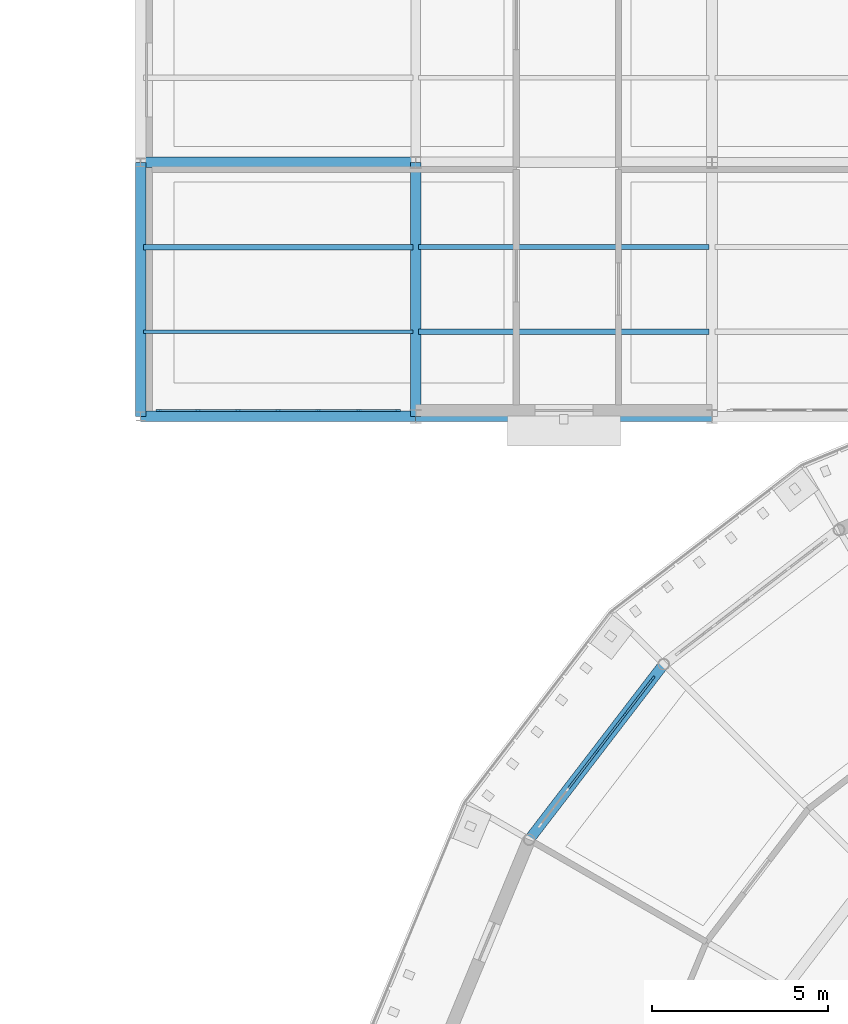
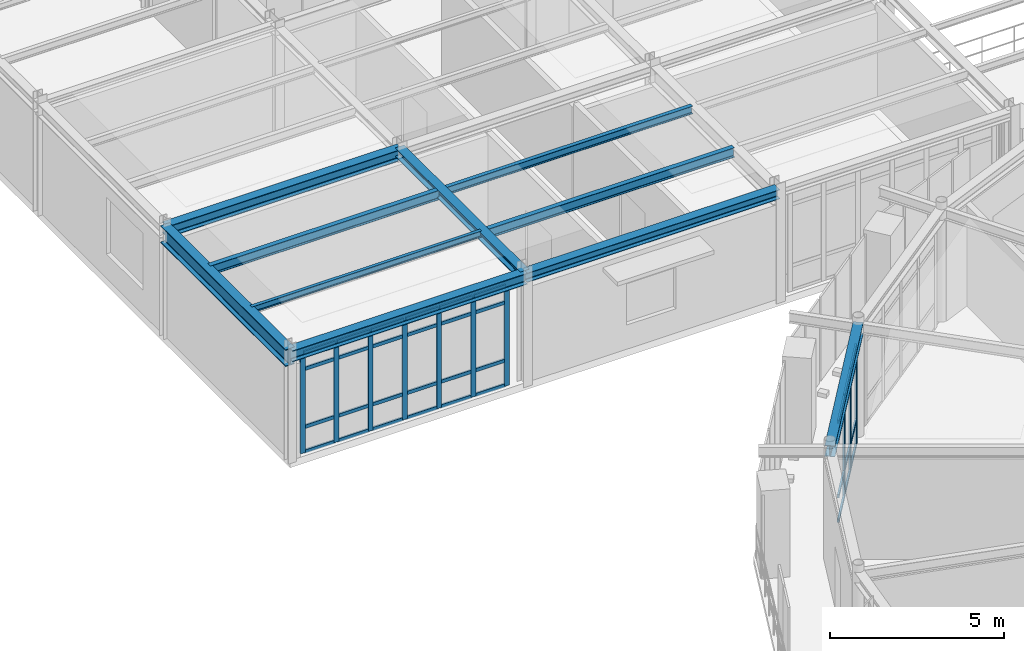
# One storey, part 44 of 90: 46 members, 10 beams, 2 elements without a shape of their own.
"""IFC4 building model written with IfcOpenShell, lengths in metres."""

from ifc_helpers import new_model, si_unit, derived_unit, direction, frame, origin, origin_2d, place, context, subcontext, project, spatial, rectangle, i_section, extrude, material, layer, layer_set, material_profile, profile_set, type_object, element, aggregate, save


model = new_model("IFC4")

# Units and contexts
model_context = context("Model", 3, precision=1e-05, world=origin(), true_north=direction((0.0, 1.0)))
body_context = subcontext(model_context, "Body", "Model", "MODEL_VIEW")
ifc_project = project(units=[si_unit("LENGTHUNIT", "METRE"), si_unit("AREAUNIT", "SQUARE_METRE"), si_unit("VOLUMEUNIT", "CUBIC_METRE"), si_unit("PLANEANGLEUNIT", "RADIAN"), si_unit("MASSUNIT", "GRAM", prefix="KILO"), derived_unit("THERMALTRANSMITTANCEUNIT", [(si_unit("POWERUNIT", "WATT"), 1), (si_unit("AREAUNIT", "SQUARE_METRE"), -1), (si_unit("THERMODYNAMICTEMPERATUREUNIT", "KELVIN"), -1)])], contexts=[model_context])

# Site, building, storey
site_placement = place(None, origin())
site = spatial("IfcSite", under=ifc_project, at=site_placement, CompositionType="ELEMENT")
building_placement = place(site_placement, origin())
building = spatial("IfcBuilding", under=site, at=building_placement, Name="Yasenodar Specialist Clinic", CompositionType="ELEMENT")
storey_placement = place(building_placement, frame((0.0, 0.0, 9.0)))
storey = spatial("IfcBuildingStorey", under=building, at=storey_placement, Name="L02", CompositionType="ELEMENT", Elevation=9.0)

# Beams
ifc_material_1 = material(Name="Steel S355", Category="steel")
ifc_material_profile_1 = material_profile(ifc_material_1, i_section(OverallWidth=0.300048828125, OverallDepth=0.330078125, WebThickness=0.009521484375, FlangeThickness=0.0166015625, FilletRadius=0.027099609375, at=origin_2d()), Name="HEA 340")
ifc_profile_set_1 = profile_set([ifc_material_profile_1], Name="Steel S355")
beam_type_1 = type_object("IfcBeamType", Name="BM-HEA340", PredefinedType="BEAM", material=ifc_profile_set_1)
beam_1_placement = place(storey_placement, frame((57.0, 82.800048828125, 3.784912109375), z_axis=(1.0, 0.0, 0.0), x_axis=(0.0, 1.0, 0.0)))
element("IfcBeam", 1, at=beam_1_placement, inside=storey, type_object=beam_type_1, Name="L02 Primary E-W Girder", PredefinedType="BEAM", context=body_context, shape_type="SweptSolid", body=[
    extrude(i_section(OverallWidth=0.300048828125, OverallDepth=0.330078125, WebThickness=0.009521484375, FlangeThickness=0.0166015625, FilletRadius=0.027099609375, at=origin_2d()), origin(), (0.0, 0.0, 1.0), 8.39990234375),
])
ifc_material_profile_2 = material_profile(ifc_material_1, i_section(OverallWidth=0.300048828125, OverallDepth=0.389892578125, WebThickness=0.010986328125, FlangeThickness=0.01904296875, FilletRadius=0.027099609375, at=origin_2d()), Name="HEA 400")
ifc_profile_set_2 = profile_set([ifc_material_profile_2], Name="Steel S355")
beam_type_2 = type_object("IfcBeamType", Name="BM-HEA400", PredefinedType="BEAM", material=ifc_profile_set_2)
for number, where, z_axis, x_axis, name in (
    (2, (49.199951171875, 82.800048828125, 3.7548828125), (1.0, 0.0, 0.0), (0.0, 1.0, 0.0), "L02 Primary E-W Girder"),
    (3, (49.199951171875, 90.0, 3.7548828125), (1.0, 0.0, 0.0), (0.0, 1.0, 0.0), "L02 Primary E-W Girder"),
):
    element("IfcBeam", number, at=place(storey_placement, frame(where, z_axis=z_axis, x_axis=x_axis)), inside=storey, type_object=beam_type_2, Name=name, PredefinedType="BEAM", context=body_context, shape_type="SweptSolid", body=[
        extrude(i_section(OverallWidth=0.300048828125, OverallDepth=0.389892578125, WebThickness=0.010986328125, FlangeThickness=0.01904296875, FilletRadius=0.027099609375, at=origin_2d()), origin(), (0.0, 0.0, 1.0), 7.800048828125),
    ])
beam_2_placement = place(storey_placement, frame((64.029296875, 75.7705078125, 3.7548828125), z_axis=(-0.608761180103, -0.793353531283, 0.0), x_axis=(0.793353531283, -0.608761180103, 0.0)))
element("IfcBeam", 4, at=beam_2_placement, inside=storey, type_object=beam_type_2, Name="L02 Drum V1 Perimeter Ring Beam", PredefinedType="BEAM", context=body_context, shape_type="SweptSolid", body=[
    extrude(i_section(OverallWidth=0.300048828125, OverallDepth=0.389892578125, WebThickness=0.010986328125, FlangeThickness=0.01904296875, FilletRadius=0.027099609375, at=origin_2d()), origin(), (0.0, 0.0, 1.0), 6.26513671875),
])
ifc_material_profile_3 = material_profile(ifc_material_1, i_section(OverallWidth=0.300048828125, OverallDepth=0.300048828125, WebThickness=0.010986328125, FlangeThickness=0.01904296875, FilletRadius=0.027099609375, at=origin_2d()), Name="HEB 300")
ifc_profile_set_3 = profile_set([ifc_material_profile_3], Name="Steel S355")
beam_type_3 = type_object("IfcBeamType", Name="BM-HEB300", PredefinedType="BEAM", material=ifc_profile_set_3)
beam_3_placement = place(storey_placement, frame((57.0, 82.800048828125, 3.800048828125), z_axis=(0.0, 1.0, 0.0), x_axis=(-1.0, 0.0, 0.0)))
element("IfcBeam", 5, at=beam_3_placement, inside=storey, type_object=beam_type_3, Name="L02 Primary N-S Girder", PredefinedType="BEAM", context=body_context, shape_type="SweptSolid", body=[
    extrude(i_section(OverallWidth=0.300048828125, OverallDepth=0.300048828125, WebThickness=0.010986328125, FlangeThickness=0.01904296875, FilletRadius=0.027099609375, at=origin_2d()), origin(), (0.0, 0.0, 1.0), 7.199951171875),
])
ifc_material_profile_4 = material_profile(ifc_material_1, i_section(OverallWidth=0.300048828125, OverallDepth=0.60009765625, WebThickness=0.015380859375, FlangeThickness=0.030029296875, FilletRadius=0.027099609375, at=origin_2d()), Name="HEB 600")
ifc_profile_set_4 = profile_set([ifc_material_profile_4], Name="Steel S355")
beam_type_4 = type_object("IfcBeamType", Name="BM-HEB600", PredefinedType="BEAM", material=ifc_profile_set_4)
beam_4_placement = place(storey_placement, frame((49.199951171875, 82.800048828125, 3.64990234375), z_axis=(0.0, 1.0, 0.0), x_axis=(-1.0, 0.0, 0.0)))
element("IfcBeam", 6, at=beam_4_placement, inside=storey, type_object=beam_type_4, Name="L02 Primary N-S Girder", PredefinedType="BEAM", context=body_context, shape_type="SweptSolid", body=[
    extrude(i_section(OverallWidth=0.300048828125, OverallDepth=0.60009765625, WebThickness=0.015380859375, FlangeThickness=0.030029296875, FilletRadius=0.027099609375, at=origin_2d()), origin(), (0.0, 0.0, 1.0), 7.199951171875),
])

# Curtain wall, members
ifc_material_2 = material(Name="Bronze Anodized Aluminium and Triple Low-E Glass", Category="aluminium")
ifc_layer_1 = layer(ifc_material_2, 0.1669921875)
ifc_layer_set_1 = layer_set([ifc_layer_1], Name="Bronze Anodized Aluminium and Triple Low-E Glass")
curtain_wall_type_1 = type_object("IfcCurtainWallType", Name="CW-SYS-01", PredefinedType="USERDEFINED", material=ifc_layer_set_1)
curtain_wall_1_placement = place(storey_placement, origin())
curtain_wall_1 = element("IfcCurtainWall", 7, at=curtain_wall_1_placement, inside=storey, type_object=curtain_wall_type_1, Name="L02 Unitised Curtain Wall 032", ObjectType="UNITISED CURTAIN WALL", PredefinedType="USERDEFINED")
ifc_material_3 = material(Name="Bronze Anodized Aluminium", Category="aluminium")
ifc_material_profile_5 = material_profile(ifc_material_3, rectangle(XDim=0.06005859375, YDim=0.159912109375, at=origin_2d()), Name="CW-MULL 60x160")
ifc_profile_set_5 = profile_set([ifc_material_profile_5], Name="Bronze Anodized Aluminium")
member_type_1 = type_object("IfcMemberType", Name="CW-MULL-160", PredefinedType="MULLION", material=ifc_profile_set_5)
member_1_placement = place(storey_placement, frame((62.122314453125, 73.285400390625, 0.0), z_axis=(0.0, 0.0, 1.0), x_axis=(-0.793360558574, 0.608752021844, 0.0)))
member_1 = element("IfcMember", 8, at=member_1_placement, type_object=member_type_1, Name="CW-01 mullion 3", PredefinedType="MULLION", context=body_context, shape_type="SweptSolid", body=[
    extrude(rectangle(XDim=0.06005859375, YDim=0.159912109375, at=origin_2d()), origin(), (0.0, 0.0, 1.0), 3.5380859375),
])
member_2_placement = place(storey_placement, frame((62.9296875, 74.337646484375, 0.0), z_axis=(0.0, 0.0, 1.0), x_axis=(-0.793360558574, 0.608752021844, 0.0)))
member_2 = element("IfcMember", 9, at=member_2_placement, type_object=member_type_1, Name="CW-01 mullion 4", PredefinedType="MULLION", context=body_context, shape_type="SweptSolid", body=[
    extrude(rectangle(XDim=0.06005859375, YDim=0.159912109375, at=origin_2d()), origin(), (0.0, 0.0, 1.0), 3.5380859375),
])
member_3_placement = place(storey_placement, frame((63.718994140625, 75.365966796875, 0.0), z_axis=(0.0, 0.0, 1.0), x_axis=(-0.793360558574, 0.608752021844, 0.0)))
member_3 = element("IfcMember", 10, at=member_3_placement, type_object=member_type_1, Name="CW-01 mullion 5", PredefinedType="MULLION", context=body_context, shape_type="SweptSolid", body=[
    extrude(rectangle(XDim=0.06005859375, YDim=0.159912109375, at=origin_2d()), origin(), (0.0, 0.0, 1.0), 3.5380859375),
])

ifc_layer_2 = layer(ifc_material_2, 0.215087890625)
ifc_layer_set_2 = layer_set([ifc_layer_2], Name="Bronze Anodized Aluminium and Triple Low-E Glass")
curtain_wall_type_2 = type_object("IfcCurtainWallType", Name="CW-SYS-05", PredefinedType="USERDEFINED", material=ifc_layer_set_2)
curtain_wall_2_placement = place(storey_placement, origin())
curtain_wall_2 = element("IfcCurtainWall", 11, at=curtain_wall_2_placement, inside=storey, type_object=curtain_wall_type_2, Name="L02 Unitised Curtain Wall 157", ObjectType="UNITISED CURTAIN WALL", PredefinedType="USERDEFINED")
member_4_placement = place(storey_placement, frame((56.489990234375, 82.969970703125, 0.0), z_axis=(0.0, 0.0, 1.0), x_axis=(0.0, -1.0, 0.0)))
member_4 = element("IfcMember", 12, at=member_4_placement, type_object=member_type_1, Name="CW-05 mullion 1", PredefinedType="MULLION", context=body_context, shape_type="SweptSolid", body=[
    extrude(rectangle(XDim=0.06005859375, YDim=0.159912109375, at=origin_2d()), origin(), (0.0, 0.0, 1.0), 3.5380859375),
])
member_5_placement = place(storey_placement, frame((55.3798828125, 82.969970703125, 0.0), z_axis=(0.0, 0.0, 1.0), x_axis=(0.0, -1.0, 0.0)))
member_5 = element("IfcMember", 13, at=member_5_placement, type_object=member_type_1, Name="CW-05 mullion 2", PredefinedType="MULLION", context=body_context, shape_type="SweptSolid", body=[
    extrude(rectangle(XDim=0.06005859375, YDim=0.159912109375, at=origin_2d()), origin(), (0.0, 0.0, 1.0), 3.5380859375),
])
member_6_placement = place(storey_placement, frame((54.239990234375, 82.969970703125, 0.0), z_axis=(0.0, 0.0, 1.0), x_axis=(0.0, -1.0, 0.0)))
member_6 = element("IfcMember", 14, at=member_6_placement, type_object=member_type_1, Name="CW-05 mullion 3", PredefinedType="MULLION", context=body_context, shape_type="SweptSolid", body=[
    extrude(rectangle(XDim=0.06005859375, YDim=0.159912109375, at=origin_2d()), origin(), (0.0, 0.0, 1.0), 3.5380859375),
])
member_7_placement = place(storey_placement, frame((53.10009765625, 82.969970703125, 0.0), z_axis=(0.0, 0.0, 1.0), x_axis=(0.0, -1.0, 0.0)))
member_7 = element("IfcMember", 15, at=member_7_placement, type_object=member_type_1, Name="CW-05 mullion 4", PredefinedType="MULLION", context=body_context, shape_type="SweptSolid", body=[
    extrude(rectangle(XDim=0.06005859375, YDim=0.159912109375, at=origin_2d()), origin(), (0.0, 0.0, 1.0), 3.5380859375),
])
member_8_placement = place(storey_placement, frame((51.9599609375, 82.969970703125, 0.0), z_axis=(0.0, 0.0, 1.0), x_axis=(0.0, -1.0, 0.0)))
member_8 = element("IfcMember", 16, at=member_8_placement, type_object=member_type_1, Name="CW-05 mullion 5", PredefinedType="MULLION", context=body_context, shape_type="SweptSolid", body=[
    extrude(rectangle(XDim=0.06005859375, YDim=0.159912109375, at=origin_2d()), origin(), (0.0, 0.0, 1.0), 3.5380859375),
])
member_9_placement = place(storey_placement, frame((50.820068359375, 82.969970703125, 0.0), z_axis=(0.0, 0.0, 1.0), x_axis=(0.0, -1.0, 0.0)))
member_9 = element("IfcMember", 17, at=member_9_placement, type_object=member_type_1, Name="CW-05 mullion 6", PredefinedType="MULLION", context=body_context, shape_type="SweptSolid", body=[
    extrude(rectangle(XDim=0.06005859375, YDim=0.159912109375, at=origin_2d()), origin(), (0.0, 0.0, 1.0), 3.5380859375),
])
member_10_placement = place(storey_placement, frame((49.7099609375, 82.969970703125, 0.0), z_axis=(0.0, 0.0, 1.0), x_axis=(0.0, -1.0, 0.0)))
member_10 = element("IfcMember", 18, at=member_10_placement, type_object=member_type_1, Name="CW-05 mullion 7", PredefinedType="MULLION", context=body_context, shape_type="SweptSolid", body=[
    extrude(rectangle(XDim=0.06005859375, YDim=0.159912109375, at=origin_2d()), origin(), (0.0, 0.0, 1.0), 3.5380859375),
])

# Member
ifc_material_profile_6 = material_profile(ifc_material_3, rectangle(XDim=0.06005859375, YDim=0.1201171875, at=origin_2d()), Name="CW-TRAN 60x120")
ifc_profile_set_6 = profile_set([ifc_material_profile_6], Name="Bronze Anodized Aluminium")
member_type_2 = type_object("IfcMemberType", Name="CW-TRAN-120", PredefinedType="USERDEFINED", material=ifc_profile_set_6)
member_11_placement = place(storey_placement, frame((61.333251953125, 72.2568359375, 0.030029296875), z_axis=(0.608815963567, 0.793311491475, 0.0), x_axis=(-0.793311491475, 0.608815963567, 0.0)))
member_11 = element("IfcMember", 19, at=member_11_placement, type_object=member_type_2, Name="CW-01 transom 2.1", ObjectType="TRANSOM", PredefinedType="USERDEFINED", context=body_context, shape_type="SweptSolid", body=[
    extrude(rectangle(XDim=0.06005859375, YDim=0.1201171875, at=origin_2d()), origin(), (0.0, 0.0, 1.0), 1.266357421875),
])

member_12_placement = place(storey_placement, frame((61.333251953125, 72.2568359375, 0.89990234375), z_axis=(0.608815963567, 0.793311491475, 0.0), x_axis=(-0.793311491475, 0.608815963567, 0.0)))
member_12 = element("IfcMember", 20, at=member_12_placement, type_object=member_type_2, Name="CW-01 transom 2.2", ObjectType="TRANSOM", PredefinedType="USERDEFINED", context=body_context, shape_type="SweptSolid", body=[
    extrude(rectangle(XDim=0.06005859375, YDim=0.1201171875, at=origin_2d()), origin(), (0.0, 0.0, 1.0), 1.266357421875),
])

member_13_placement = place(storey_placement, frame((61.333251953125, 72.2568359375, 2.93798828125), z_axis=(0.608815963567, 0.793311491475, 0.0), x_axis=(-0.793311491475, 0.608815963567, 0.0)))
member_13 = element("IfcMember", 21, at=member_13_placement, type_object=member_type_2, Name="CW-01 transom 2.3", ObjectType="TRANSOM", PredefinedType="USERDEFINED", context=body_context, shape_type="SweptSolid", body=[
    extrude(rectangle(XDim=0.06005859375, YDim=0.1201171875, at=origin_2d()), origin(), (0.0, 0.0, 1.0), 1.266357421875),
])

member_14_placement = place(storey_placement, frame((61.333251953125, 72.2568359375, 3.508056640625), z_axis=(0.608815963567, 0.793311491475, 0.0), x_axis=(-0.793311491475, 0.608815963567, 0.0)))
member_14 = element("IfcMember", 22, at=member_14_placement, type_object=member_type_2, Name="CW-01 transom 2.4", ObjectType="TRANSOM", PredefinedType="USERDEFINED", context=body_context, shape_type="SweptSolid", body=[
    extrude(rectangle(XDim=0.06005859375, YDim=0.1201171875, at=origin_2d()), origin(), (0.0, 0.0, 1.0), 1.266357421875),
])

member_15_placement = place(storey_placement, frame((62.140625, 73.30908203125, 0.030029296875), z_axis=(0.608815963567, 0.793311491475, 0.0), x_axis=(-0.793311491475, 0.608815963567, 0.0)))
member_15 = element("IfcMember", 23, at=member_15_placement, type_object=member_type_2, Name="CW-01 transom 3.1", ObjectType="TRANSOM", PredefinedType="USERDEFINED", context=body_context, shape_type="SweptSolid", body=[
    extrude(rectangle(XDim=0.06005859375, YDim=0.1201171875, at=origin_2d()), origin(), (0.0, 0.0, 1.0), 1.266357421875),
])

member_16_placement = place(storey_placement, frame((62.140625, 73.30908203125, 0.89990234375), z_axis=(0.608815963567, 0.793311491475, 0.0), x_axis=(-0.793311491475, 0.608815963567, 0.0)))
member_16 = element("IfcMember", 24, at=member_16_placement, type_object=member_type_2, Name="CW-01 transom 3.2", ObjectType="TRANSOM", PredefinedType="USERDEFINED", context=body_context, shape_type="SweptSolid", body=[
    extrude(rectangle(XDim=0.06005859375, YDim=0.1201171875, at=origin_2d()), origin(), (0.0, 0.0, 1.0), 1.266357421875),
])

member_17_placement = place(storey_placement, frame((62.140625, 73.30908203125, 2.93798828125), z_axis=(0.608815963567, 0.793311491475, 0.0), x_axis=(-0.793311491475, 0.608815963567, 0.0)))
member_17 = element("IfcMember", 25, at=member_17_placement, type_object=member_type_2, Name="CW-01 transom 3.3", ObjectType="TRANSOM", PredefinedType="USERDEFINED", context=body_context, shape_type="SweptSolid", body=[
    extrude(rectangle(XDim=0.06005859375, YDim=0.1201171875, at=origin_2d()), origin(), (0.0, 0.0, 1.0), 1.266357421875),
])

member_18_placement = place(storey_placement, frame((62.140625, 73.30908203125, 3.508056640625), z_axis=(0.608815963567, 0.793311491475, 0.0), x_axis=(-0.793311491475, 0.608815963567, 0.0)))
member_18 = element("IfcMember", 26, at=member_18_placement, type_object=member_type_2, Name="CW-01 transom 3.4", ObjectType="TRANSOM", PredefinedType="USERDEFINED", context=body_context, shape_type="SweptSolid", body=[
    extrude(rectangle(XDim=0.06005859375, YDim=0.1201171875, at=origin_2d()), origin(), (0.0, 0.0, 1.0), 1.266357421875),
])

member_19_placement = place(storey_placement, frame((62.947998046875, 74.361328125, 0.030029296875), z_axis=(0.608746535642, 0.793364768151, 0.0), x_axis=(-0.793364768151, 0.608746535642, 0.0)))
member_19 = element("IfcMember", 27, at=member_19_placement, type_object=member_type_2, Name="CW-01 transom 4.1", ObjectType="TRANSOM", PredefinedType="USERDEFINED", context=body_context, shape_type="SweptSolid", body=[
    extrude(rectangle(XDim=0.06005859375, YDim=0.1201171875, at=origin_2d()), origin(), (0.0, 0.0, 1.0), 1.236572265625),
])

member_20_placement = place(storey_placement, frame((62.947998046875, 74.361328125, 0.89990234375), z_axis=(0.608746535642, 0.793364768151, 0.0), x_axis=(-0.793364768151, 0.608746535642, 0.0)))
member_20 = element("IfcMember", 28, at=member_20_placement, type_object=member_type_2, Name="CW-01 transom 4.2", ObjectType="TRANSOM", PredefinedType="USERDEFINED", context=body_context, shape_type="SweptSolid", body=[
    extrude(rectangle(XDim=0.06005859375, YDim=0.1201171875, at=origin_2d()), origin(), (0.0, 0.0, 1.0), 1.236572265625),
])

member_21_placement = place(storey_placement, frame((62.947998046875, 74.361328125, 2.93798828125), z_axis=(0.608746535642, 0.793364768151, 0.0), x_axis=(-0.793364768151, 0.608746535642, 0.0)))
member_21 = element("IfcMember", 29, at=member_21_placement, type_object=member_type_2, Name="CW-01 transom 4.3", ObjectType="TRANSOM", PredefinedType="USERDEFINED", context=body_context, shape_type="SweptSolid", body=[
    extrude(rectangle(XDim=0.06005859375, YDim=0.1201171875, at=origin_2d()), origin(), (0.0, 0.0, 1.0), 1.236572265625),
])

member_22_placement = place(storey_placement, frame((62.947998046875, 74.361328125, 3.508056640625), z_axis=(0.608746535642, 0.793364768151, 0.0), x_axis=(-0.793364768151, 0.608746535642, 0.0)))
member_22 = element("IfcMember", 30, at=member_22_placement, type_object=member_type_2, Name="CW-01 transom 4.4", ObjectType="TRANSOM", PredefinedType="USERDEFINED", context=body_context, shape_type="SweptSolid", body=[
    extrude(rectangle(XDim=0.06005859375, YDim=0.1201171875, at=origin_2d()), origin(), (0.0, 0.0, 1.0), 1.236572265625),
])

aggregate(curtain_wall_1, [member_1, member_2, member_3, member_11, member_12, member_13, member_14, member_15, member_16, member_17, member_18, member_19, member_20, member_21, member_22])

member_23_placement = place(storey_placement, frame((56.4599609375, 82.969970703125, 0.030029296875), z_axis=(-1.0, 0.0, 0.0), x_axis=(0.0, -1.0, 0.0)))
member_23 = element("IfcMember", 31, at=member_23_placement, type_object=member_type_2, Name="CW-05 transom 1.1", ObjectType="TRANSOM", PredefinedType="USERDEFINED", context=body_context, shape_type="SweptSolid", body=[
    extrude(rectangle(XDim=0.06005859375, YDim=0.1201171875, at=origin_2d()), origin(), (0.0, 0.0, 1.0), 1.050048828125),
])

member_24_placement = place(storey_placement, frame((56.4599609375, 82.969970703125, 0.89990234375), z_axis=(-1.0, 0.0, 0.0), x_axis=(0.0, -1.0, 0.0)))
member_24 = element("IfcMember", 32, at=member_24_placement, type_object=member_type_2, Name="CW-05 transom 1.2", ObjectType="TRANSOM", PredefinedType="USERDEFINED", context=body_context, shape_type="SweptSolid", body=[
    extrude(rectangle(XDim=0.06005859375, YDim=0.1201171875, at=origin_2d()), origin(), (0.0, 0.0, 1.0), 1.050048828125),
])

member_25_placement = place(storey_placement, frame((56.4599609375, 82.969970703125, 2.93798828125), z_axis=(-1.0, 0.0, 0.0), x_axis=(0.0, -1.0, 0.0)))
member_25 = element("IfcMember", 33, at=member_25_placement, type_object=member_type_2, Name="CW-05 transom 1.3", ObjectType="TRANSOM", PredefinedType="USERDEFINED", context=body_context, shape_type="SweptSolid", body=[
    extrude(rectangle(XDim=0.06005859375, YDim=0.1201171875, at=origin_2d()), origin(), (0.0, 0.0, 1.0), 1.050048828125),
])

member_26_placement = place(storey_placement, frame((56.4599609375, 82.969970703125, 3.508056640625), z_axis=(-1.0, 0.0, 0.0), x_axis=(0.0, -1.0, 0.0)))
member_26 = element("IfcMember", 34, at=member_26_placement, type_object=member_type_2, Name="CW-05 transom 1.4", ObjectType="TRANSOM", PredefinedType="USERDEFINED", context=body_context, shape_type="SweptSolid", body=[
    extrude(rectangle(XDim=0.06005859375, YDim=0.1201171875, at=origin_2d()), origin(), (0.0, 0.0, 1.0), 1.050048828125),
])

member_27_placement = place(storey_placement, frame((55.35009765625, 82.969970703125, 0.030029296875), z_axis=(-1.0, 0.0, 0.0), x_axis=(0.0, -1.0, 0.0)))
member_27 = element("IfcMember", 35, at=member_27_placement, type_object=member_type_2, Name="CW-05 transom 2.1", ObjectType="TRANSOM", PredefinedType="USERDEFINED", context=body_context, shape_type="SweptSolid", body=[
    extrude(rectangle(XDim=0.06005859375, YDim=0.1201171875, at=origin_2d()), origin(), (0.0, 0.0, 1.0), 1.080078125),
])

member_28_placement = place(storey_placement, frame((55.35009765625, 82.969970703125, 0.89990234375), z_axis=(-1.0, 0.0, 0.0), x_axis=(0.0, -1.0, 0.0)))
member_28 = element("IfcMember", 36, at=member_28_placement, type_object=member_type_2, Name="CW-05 transom 2.2", ObjectType="TRANSOM", PredefinedType="USERDEFINED", context=body_context, shape_type="SweptSolid", body=[
    extrude(rectangle(XDim=0.06005859375, YDim=0.1201171875, at=origin_2d()), origin(), (0.0, 0.0, 1.0), 1.080078125),
])

member_29_placement = place(storey_placement, frame((55.35009765625, 82.969970703125, 2.93798828125), z_axis=(-1.0, 0.0, 0.0), x_axis=(0.0, -1.0, 0.0)))
member_29 = element("IfcMember", 37, at=member_29_placement, type_object=member_type_2, Name="CW-05 transom 2.3", ObjectType="TRANSOM", PredefinedType="USERDEFINED", context=body_context, shape_type="SweptSolid", body=[
    extrude(rectangle(XDim=0.06005859375, YDim=0.1201171875, at=origin_2d()), origin(), (0.0, 0.0, 1.0), 1.080078125),
])

member_30_placement = place(storey_placement, frame((55.35009765625, 82.969970703125, 3.508056640625), z_axis=(-1.0, 0.0, 0.0), x_axis=(0.0, -1.0, 0.0)))
member_30 = element("IfcMember", 38, at=member_30_placement, type_object=member_type_2, Name="CW-05 transom 2.4", ObjectType="TRANSOM", PredefinedType="USERDEFINED", context=body_context, shape_type="SweptSolid", body=[
    extrude(rectangle(XDim=0.06005859375, YDim=0.1201171875, at=origin_2d()), origin(), (0.0, 0.0, 1.0), 1.080078125),
])

member_31_placement = place(storey_placement, frame((54.2099609375, 82.969970703125, 0.030029296875), z_axis=(-1.0, 0.0, 0.0), x_axis=(0.0, -1.0, 0.0)))
member_31 = element("IfcMember", 39, at=member_31_placement, type_object=member_type_2, Name="CW-05 transom 3.1", ObjectType="TRANSOM", PredefinedType="USERDEFINED", context=body_context, shape_type="SweptSolid", body=[
    extrude(rectangle(XDim=0.06005859375, YDim=0.1201171875, at=origin_2d()), origin(), (0.0, 0.0, 1.0), 1.080078125),
])

member_32_placement = place(storey_placement, frame((54.2099609375, 82.969970703125, 0.89990234375), z_axis=(-1.0, 0.0, 0.0), x_axis=(0.0, -1.0, 0.0)))
member_32 = element("IfcMember", 40, at=member_32_placement, type_object=member_type_2, Name="CW-05 transom 3.2", ObjectType="TRANSOM", PredefinedType="USERDEFINED", context=body_context, shape_type="SweptSolid", body=[
    extrude(rectangle(XDim=0.06005859375, YDim=0.1201171875, at=origin_2d()), origin(), (0.0, 0.0, 1.0), 1.080078125),
])

member_33_placement = place(storey_placement, frame((54.2099609375, 82.969970703125, 2.93798828125), z_axis=(-1.0, 0.0, 0.0), x_axis=(0.0, -1.0, 0.0)))
member_33 = element("IfcMember", 41, at=member_33_placement, type_object=member_type_2, Name="CW-05 transom 3.3", ObjectType="TRANSOM", PredefinedType="USERDEFINED", context=body_context, shape_type="SweptSolid", body=[
    extrude(rectangle(XDim=0.06005859375, YDim=0.1201171875, at=origin_2d()), origin(), (0.0, 0.0, 1.0), 1.080078125),
])

member_34_placement = place(storey_placement, frame((54.2099609375, 82.969970703125, 3.508056640625), z_axis=(-1.0, 0.0, 0.0), x_axis=(0.0, -1.0, 0.0)))
member_34 = element("IfcMember", 42, at=member_34_placement, type_object=member_type_2, Name="CW-05 transom 3.4", ObjectType="TRANSOM", PredefinedType="USERDEFINED", context=body_context, shape_type="SweptSolid", body=[
    extrude(rectangle(XDim=0.06005859375, YDim=0.1201171875, at=origin_2d()), origin(), (0.0, 0.0, 1.0), 1.080078125),
])

member_35_placement = place(storey_placement, frame((53.070068359375, 82.969970703125, 0.030029296875), z_axis=(-1.0, 0.0, 0.0), x_axis=(0.0, -1.0, 0.0)))
member_35 = element("IfcMember", 43, at=member_35_placement, type_object=member_type_2, Name="CW-05 transom 4.1", ObjectType="TRANSOM", PredefinedType="USERDEFINED", context=body_context, shape_type="SweptSolid", body=[
    extrude(rectangle(XDim=0.06005859375, YDim=0.1201171875, at=origin_2d()), origin(), (0.0, 0.0, 1.0), 1.080078125),
])

member_36_placement = place(storey_placement, frame((53.070068359375, 82.969970703125, 0.89990234375), z_axis=(-1.0, 0.0, 0.0), x_axis=(0.0, -1.0, 0.0)))
member_36 = element("IfcMember", 44, at=member_36_placement, type_object=member_type_2, Name="CW-05 transom 4.2", ObjectType="TRANSOM", PredefinedType="USERDEFINED", context=body_context, shape_type="SweptSolid", body=[
    extrude(rectangle(XDim=0.06005859375, YDim=0.1201171875, at=origin_2d()), origin(), (0.0, 0.0, 1.0), 1.080078125),
])

member_37_placement = place(storey_placement, frame((53.070068359375, 82.969970703125, 2.93798828125), z_axis=(-1.0, 0.0, 0.0), x_axis=(0.0, -1.0, 0.0)))
member_37 = element("IfcMember", 45, at=member_37_placement, type_object=member_type_2, Name="CW-05 transom 4.3", ObjectType="TRANSOM", PredefinedType="USERDEFINED", context=body_context, shape_type="SweptSolid", body=[
    extrude(rectangle(XDim=0.06005859375, YDim=0.1201171875, at=origin_2d()), origin(), (0.0, 0.0, 1.0), 1.080078125),
])

member_38_placement = place(storey_placement, frame((53.070068359375, 82.969970703125, 3.508056640625), z_axis=(-1.0, 0.0, 0.0), x_axis=(0.0, -1.0, 0.0)))
member_38 = element("IfcMember", 46, at=member_38_placement, type_object=member_type_2, Name="CW-05 transom 4.4", ObjectType="TRANSOM", PredefinedType="USERDEFINED", context=body_context, shape_type="SweptSolid", body=[
    extrude(rectangle(XDim=0.06005859375, YDim=0.1201171875, at=origin_2d()), origin(), (0.0, 0.0, 1.0), 1.080078125),
])

member_39_placement = place(storey_placement, frame((51.929931640625, 82.969970703125, 0.030029296875), z_axis=(-1.0, 0.0, 0.0), x_axis=(0.0, -1.0, 0.0)))
member_39 = element("IfcMember", 47, at=member_39_placement, type_object=member_type_2, Name="CW-05 transom 5.1", ObjectType="TRANSOM", PredefinedType="USERDEFINED", context=body_context, shape_type="SweptSolid", body=[
    extrude(rectangle(XDim=0.06005859375, YDim=0.1201171875, at=origin_2d()), origin(), (0.0, 0.0, 1.0), 1.079833984375),
])

member_40_placement = place(storey_placement, frame((51.929931640625, 82.969970703125, 0.89990234375), z_axis=(-1.0, 0.0, 0.0), x_axis=(0.0, -1.0, 0.0)))
member_40 = element("IfcMember", 48, at=member_40_placement, type_object=member_type_2, Name="CW-05 transom 5.2", ObjectType="TRANSOM", PredefinedType="USERDEFINED", context=body_context, shape_type="SweptSolid", body=[
    extrude(rectangle(XDim=0.06005859375, YDim=0.1201171875, at=origin_2d()), origin(), (0.0, 0.0, 1.0), 1.079833984375),
])

member_41_placement = place(storey_placement, frame((51.929931640625, 82.969970703125, 2.93798828125), z_axis=(-1.0, 0.0, 0.0), x_axis=(0.0, -1.0, 0.0)))
member_41 = element("IfcMember", 49, at=member_41_placement, type_object=member_type_2, Name="CW-05 transom 5.3", ObjectType="TRANSOM", PredefinedType="USERDEFINED", context=body_context, shape_type="SweptSolid", body=[
    extrude(rectangle(XDim=0.06005859375, YDim=0.1201171875, at=origin_2d()), origin(), (0.0, 0.0, 1.0), 1.079833984375),
])

member_42_placement = place(storey_placement, frame((51.929931640625, 82.969970703125, 3.508056640625), z_axis=(-1.0, 0.0, 0.0), x_axis=(0.0, -1.0, 0.0)))
member_42 = element("IfcMember", 50, at=member_42_placement, type_object=member_type_2, Name="CW-05 transom 5.4", ObjectType="TRANSOM", PredefinedType="USERDEFINED", context=body_context, shape_type="SweptSolid", body=[
    extrude(rectangle(XDim=0.06005859375, YDim=0.1201171875, at=origin_2d()), origin(), (0.0, 0.0, 1.0), 1.079833984375),
])

member_43_placement = place(storey_placement, frame((50.7900390625, 82.969970703125, 0.030029296875), z_axis=(-1.0, 0.0, 0.0), x_axis=(0.0, -1.0, 0.0)))
member_43 = element("IfcMember", 51, at=member_43_placement, type_object=member_type_2, Name="CW-05 transom 6.1", ObjectType="TRANSOM", PredefinedType="USERDEFINED", context=body_context, shape_type="SweptSolid", body=[
    extrude(rectangle(XDim=0.06005859375, YDim=0.1201171875, at=origin_2d()), origin(), (0.0, 0.0, 1.0), 1.050048828125),
])

member_44_placement = place(storey_placement, frame((50.7900390625, 82.969970703125, 0.89990234375), z_axis=(-1.0, 0.0, 0.0), x_axis=(0.0, -1.0, 0.0)))
member_44 = element("IfcMember", 52, at=member_44_placement, type_object=member_type_2, Name="CW-05 transom 6.2", ObjectType="TRANSOM", PredefinedType="USERDEFINED", context=body_context, shape_type="SweptSolid", body=[
    extrude(rectangle(XDim=0.06005859375, YDim=0.1201171875, at=origin_2d()), origin(), (0.0, 0.0, 1.0), 1.050048828125),
])

member_45_placement = place(storey_placement, frame((50.7900390625, 82.969970703125, 2.93798828125), z_axis=(-1.0, 0.0, 0.0), x_axis=(0.0, -1.0, 0.0)))
member_45 = element("IfcMember", 53, at=member_45_placement, type_object=member_type_2, Name="CW-05 transom 6.3", ObjectType="TRANSOM", PredefinedType="USERDEFINED", context=body_context, shape_type="SweptSolid", body=[
    extrude(rectangle(XDim=0.06005859375, YDim=0.1201171875, at=origin_2d()), origin(), (0.0, 0.0, 1.0), 1.050048828125),
])

member_46_placement = place(storey_placement, frame((50.7900390625, 82.969970703125, 3.508056640625), z_axis=(-1.0, 0.0, 0.0), x_axis=(0.0, -1.0, 0.0)))
member_46 = element("IfcMember", 54, at=member_46_placement, type_object=member_type_2, Name="CW-05 transom 6.4", ObjectType="TRANSOM", PredefinedType="USERDEFINED", context=body_context, shape_type="SweptSolid", body=[
    extrude(rectangle(XDim=0.06005859375, YDim=0.1201171875, at=origin_2d()), origin(), (0.0, 0.0, 1.0), 1.050048828125),
])

aggregate(curtain_wall_2, [member_4, member_5, member_6, member_7, member_8, member_9, member_10, member_23, member_24, member_25, member_26, member_27, member_28, member_29, member_30, member_31, member_32, member_33, member_34, member_35, member_36, member_37, member_38, member_39, member_40, member_41, member_42, member_43, member_44, member_45, member_46])

# Beams
ifc_material_profile_7 = material_profile(ifc_material_1, i_section(OverallWidth=0.110107421875, OverallDepth=0.219970703125, WebThickness=0.005859375, FlangeThickness=0.00927734375, FilletRadius=0.011962890625, at=origin_2d()), Name="IPE 220")
ifc_profile_set_7 = profile_set([ifc_material_profile_7], Name="Steel S355")
beam_type_5 = type_object("IfcBeamType", Name="JS-IPE220", PredefinedType="JOIST", material=ifc_profile_set_7)
beam_5_placement = place(storey_placement, frame((49.280029296875, 85.199951171875, 3.840087890625), z_axis=(1.0, 0.0, 0.0), x_axis=(0.0, 1.0, 0.0)))
element("IfcBeam", 55, at=beam_5_placement, inside=storey, type_object=beam_type_5, Name="L02 Composite Floor Joist", PredefinedType="JOIST", context=body_context, shape_type="SweptSolid", body=[
    extrude(i_section(OverallWidth=0.110107421875, OverallDepth=0.219970703125, WebThickness=0.005859375, FlangeThickness=0.00927734375, FilletRadius=0.011962890625, at=origin_2d()), origin(), (0.0, 0.0, 1.0), 7.639892578125),
])
ifc_material_profile_8 = material_profile(ifc_material_1, i_section(OverallWidth=0.135009765625, OverallDepth=0.27001953125, WebThickness=0.006591796875, FlangeThickness=0.01025390625, FilletRadius=0.014892578125, at=origin_2d()), Name="IPE 270")
ifc_profile_set_8 = profile_set([ifc_material_profile_8], Name="Steel S355")
beam_type_6 = type_object("IfcBeamType", Name="JS-IPE270", PredefinedType="JOIST", material=ifc_profile_set_8)
beam_6_placement = place(storey_placement, frame((57.080078125, 87.60009765625, 3.81494140625), z_axis=(1.0, 0.0, 0.0), x_axis=(0.0, 1.0, 0.0)))
element("IfcBeam", 56, at=beam_6_placement, inside=storey, type_object=beam_type_6, Name="L02 Composite Floor Joist", PredefinedType="JOIST", context=body_context, shape_type="SweptSolid", body=[
    extrude(i_section(OverallWidth=0.135009765625, OverallDepth=0.27001953125, WebThickness=0.006591796875, FlangeThickness=0.01025390625, FilletRadius=0.014892578125, at=origin_2d()), origin(), (0.0, 0.0, 1.0), 8.239990234375),
])
ifc_material_profile_9 = material_profile(ifc_material_1, i_section(OverallWidth=0.159912109375, OverallDepth=0.330078125, WebThickness=0.007568359375, FlangeThickness=0.011474609375, FilletRadius=0.01806640625, at=origin_2d()), Name="IPE 330")
ifc_profile_set_9 = profile_set([ifc_material_profile_9], Name="Steel S355")
beam_type_7 = type_object("IfcBeamType", Name="JS-IPE330", PredefinedType="JOIST", material=ifc_profile_set_9)
beam_7_placement = place(storey_placement, frame((49.280029296875, 87.60009765625, 3.784912109375), z_axis=(1.0, 0.0, 0.0), x_axis=(0.0, 1.0, 0.0)))
element("IfcBeam", 57, at=beam_7_placement, inside=storey, type_object=beam_type_7, Name="L02 Composite Floor Joist", PredefinedType="JOIST", context=body_context, shape_type="SweptSolid", body=[
    extrude(i_section(OverallWidth=0.159912109375, OverallDepth=0.330078125, WebThickness=0.007568359375, FlangeThickness=0.011474609375, FilletRadius=0.01806640625, at=origin_2d()), origin(), (0.0, 0.0, 1.0), 7.639892578125),
])
beam_8_placement = place(storey_placement, frame((57.080078125, 85.199951171875, 3.784912109375), z_axis=(1.0, 0.0, 0.0), x_axis=(0.0, 1.0, 0.0)))
element("IfcBeam", 58, at=beam_8_placement, inside=storey, type_object=beam_type_7, Name="L02 Composite Floor Joist", PredefinedType="JOIST", context=body_context, shape_type="SweptSolid", body=[
    extrude(i_section(OverallWidth=0.159912109375, OverallDepth=0.330078125, WebThickness=0.007568359375, FlangeThickness=0.011474609375, FilletRadius=0.01806640625, at=origin_2d()), origin(), (0.0, 0.0, 1.0), 8.239990234375),
])

save(model, "model.ifc")
